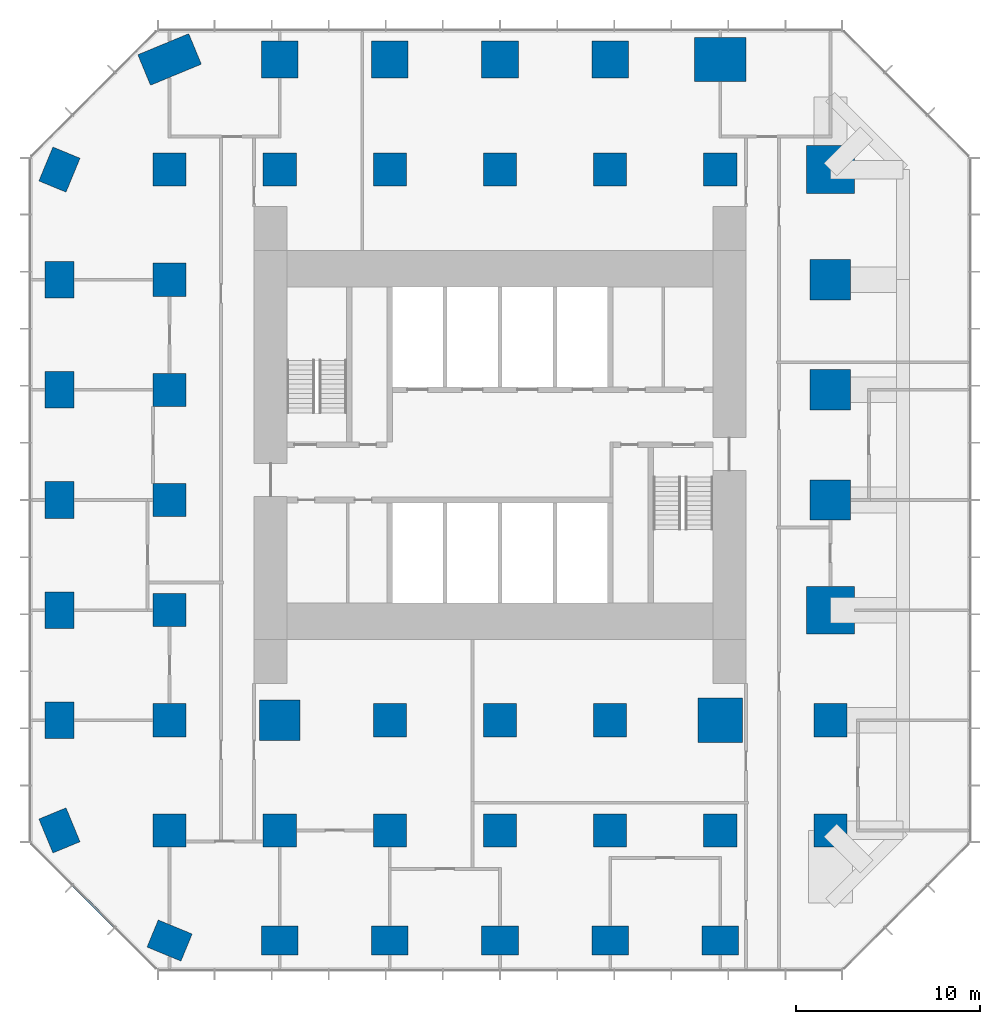
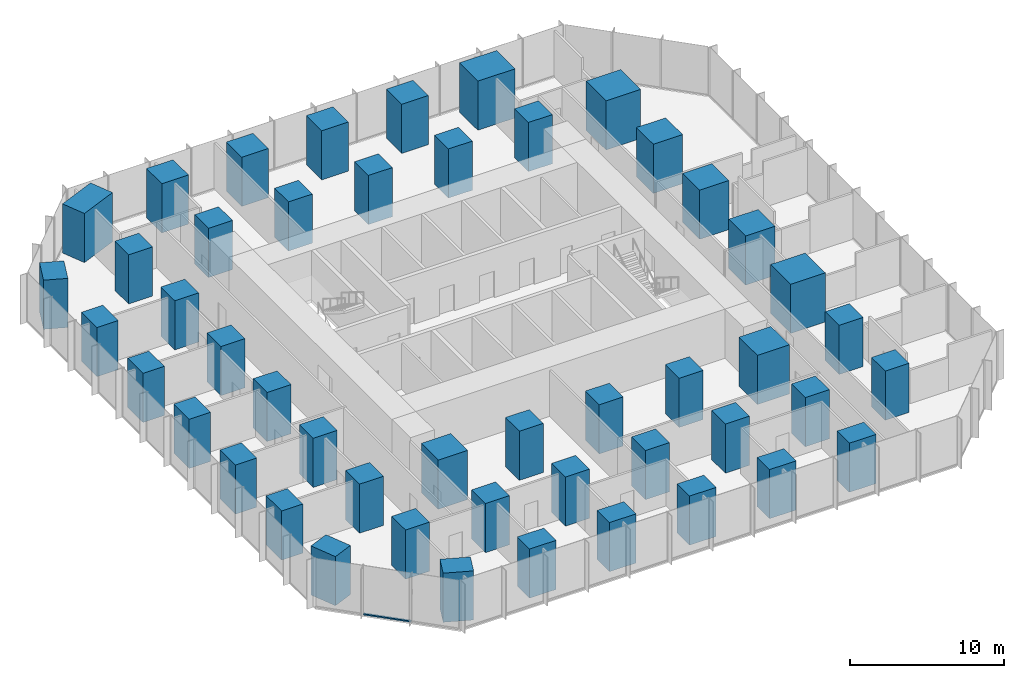
# One storey, part 1 of 12: 48 columns, 1 member, 1 element without a shape of its own.
"""IFC4 building model written with IfcOpenShell, lengths in metres."""

from ifc_helpers import new_model, si_unit, direction, frame, origin, origin_2d, place, context, subcontext, project, spatial, rectangle, extrude, material, layer, layer_set, material_profile, profile_set, type_object, element, aggregate, save


model = new_model("IFC4")

# Units and contexts
model_context = context("Model", 3, precision=1e-05, world=origin(), true_north=direction((0.0, 1.0)))
body_context = subcontext(model_context, "Body", "Model", "MODEL_VIEW")
ifc_project = project(units=[si_unit("LENGTHUNIT", "METRE"), si_unit("AREAUNIT", "SQUARE_METRE"), si_unit("VOLUMEUNIT", "CUBIC_METRE"), si_unit("PLANEANGLEUNIT", "RADIAN"), si_unit("MASSUNIT", "GRAM", prefix="KILO")], contexts=[model_context])

# Site, building, storey
site_placement = place(None, origin())
site = spatial("IfcSite", under=ifc_project, at=site_placement, CompositionType="ELEMENT")
building_placement = place(site_placement, origin())
building = spatial("IfcBuilding", under=site, at=building_placement, Name="Highveld Stack Headquarters", CompositionType="ELEMENT")
storey_placement = place(building_placement, frame((0.0, 0.0, 57.199951171875)))
storey = spatial("IfcBuildingStorey", under=building, at=storey_placement, Name="L13", CompositionType="ELEMENT", Elevation=57.199951171875)

# Columns
ifc_material_1 = material(Name="Concrete C60/75", Category="concrete")
ifc_material_profile_1 = material_profile(ifc_material_1, rectangle(XDim=1.800048828125, YDim=1.800048828125, at=origin_2d()), Name="RC 1800x1800")
ifc_profile_set_1 = profile_set([ifc_material_profile_1], Name="Concrete C60/75")
column_type_1 = type_object("IfcColumnType", Name="COLUMN RC 1800x1800 C60/75", PredefinedType="COLUMN", material=ifc_profile_set_1)
for number, where, z_axis, x_axis, name in (
    (1, (-12.0, -18.0, 0.0), (0.0, 0.0, 1.0), (1.0, 0.0, 0.0), "Column 4/B L13"),
    (2, (-12.0, -12.0, 0.0), (0.0, 0.0, 1.0), (1.0, 0.0, 0.0), "Column 4/C L13"),
    (3, (-12.0, -6.0, 0.0), (0.0, 0.0, 1.0), (1.0, 0.0, 0.0), "Column 4/D L13"),
    (4, (-12.0, 0.0, 0.0), (0.0, 0.0, 1.0), (1.0, 0.0, 0.0), "Column 4/E L13"),
    (5, (-12.0, 6.0, 0.0), (0.0, 0.0, 1.0), (1.0, 0.0, 0.0), "Column 4/F L13"),
    (6, (-12.0, 12.0, 0.0), (0.0, 0.0, 1.0), (1.0, 0.0, 0.0), "Column 4/G L13"),
    (7, (-12.0, 18.0, 0.0), (0.0, 0.0, 1.0), (1.0, 0.0, 0.0), "Column 4/H L13"),
    (8, (-6.0, -18.0, 0.0), (0.0, 0.0, 1.0), (1.0, 0.0, 0.0), "Column 5/B L13"),
    (9, (-6.0, 18.0, 0.0), (0.0, 0.0, 1.0), (1.0, 0.0, 0.0), "Column 5/H L13"),
    (10, (0.0, -18.0, 0.0), (0.0, 0.0, 1.0), (1.0, 0.0, 0.0), "Column 6/B L13"),
    (11, (0.0, -12.0, 0.0), (0.0, 0.0, 1.0), (1.0, 0.0, 0.0), "Column 6/C L13"),
    (12, (0.0, 18.0, 0.0), (0.0, 0.0, 1.0), (1.0, 0.0, 0.0), "Column 6/H L13"),
    (13, (6.0, -18.0, 0.0), (0.0, 0.0, 1.0), (1.0, 0.0, 0.0), "Column 7/B L13"),
    (14, (6.0, -12.0, 0.0), (0.0, 0.0, 1.0), (1.0, 0.0, 0.0), "Column 7/C L13"),
    (15, (6.0, 18.0, 0.0), (0.0, 0.0, 1.0), (1.0, 0.0, 0.0), "Column 7/H L13"),
    (16, (12.0, -18.0, 0.0), (0.0, 0.0, 1.0), (1.0, 0.0, 0.0), "Column 8/B L13"),
    (17, (12.0, -12.0, 0.0), (0.0, 0.0, 1.0), (1.0, 0.0, 0.0), "Column 8/C L13"),
    (18, (12.0, 18.0, 0.0), (0.0, 0.0, 1.0), (1.0, 0.0, 0.0), "Column 8/H L13"),
    (19, (18.0, -18.0, 0.0), (0.0, 0.0, 1.0), (1.0, 0.0, 0.0), "Column 9/B L13"),
    (20, (18.0, 18.0, 0.0), (0.0, 0.0, 1.0), (1.0, 0.0, 0.0), "Column 9/H L13"),
    (21, (24.0, -18.0, 0.0), (0.0, 0.0, 1.0), (1.0, 0.0, 0.0), "Column 10/B L13"),
    (22, (24.0, -12.0, 0.0), (0.0, 0.0, 1.0), (1.0, 0.0, 0.0), "Column 10/C L13"),
):
    element("IfcColumn", number, at=place(storey_placement, frame(where, z_axis=z_axis, x_axis=x_axis)), inside=storey, type_object=column_type_1, Name=name, PredefinedType="COLUMN", context=body_context, shape_type="SweptSolid", body=[
        extrude(rectangle(XDim=1.800048828125, YDim=1.800048828125, at=origin_2d()), origin(), (0.0, 0.0, 1.0), 3.900146484375),
    ])
ifc_material_2 = material(Name="Concrete C60/75", Category="concrete")
ifc_material_profile_2 = material_profile(ifc_material_2, rectangle(XDim=2.0, YDim=1.60009765625, at=origin_2d()), Name="RC 2000x1600")
ifc_profile_set_2 = profile_set([ifc_material_profile_2], Name="Concrete C60/75")
column_type_2 = type_object("IfcColumnType", Name="COLUMN RC 2000x1600 C60/75", PredefinedType="COLUMN", material=ifc_profile_set_2)
for number, where, z_axis, x_axis, name in (
    (23, (-18.0, -18.0, 0.0), (0.0, 0.0, 1.0), (-0.382683432365, 0.923879532511, 0.0), "Column 3/B L13"),
    (24, (-18.0, -12.0, 0.0), (0.0, 0.0, 1.0), (0.0, 1.0, 0.0), "Column 3/C L13"),
    (25, (-18.0, -6.0, 0.0), (0.0, 0.0, 1.0), (0.0, 1.0, 0.0), "Column 3/D L13"),
    (26, (-18.0, 0.0, 0.0), (0.0, 0.0, 1.0), (0.0, 1.0, 0.0), "Column 3/E L13"),
    (27, (-18.0, 6.0, 0.0), (0.0, 0.0, 1.0), (0.0, 1.0, 0.0), "Column 3/F L13"),
    (28, (-18.0, 12.0, 0.0), (0.0, 0.0, 1.0), (0.0, 1.0, 0.0), "Column 3/G L13"),
    (29, (-18.0, 18.0, 0.0), (0.0, 0.0, 1.0), (0.382683432365, 0.923879532511, 0.0), "Column 3/H L13"),
    (30, (-12.0, -24.0, 0.0), (0.0, 0.0, 1.0), (-0.923879532511, 0.382683432365, 0.0), "Column 4/A L13"),
    (31, (-6.0, -24.0, 0.0), (0.0, 0.0, 1.0), (1.0, 0.0, 0.0), "Column 5/A L13"),
    (32, (0.0, -24.0, 0.0), (0.0, 0.0, 1.0), (1.0, 0.0, 0.0), "Column 6/A L13"),
    (33, (6.0, -24.0, 0.0), (0.0, 0.0, 1.0), (1.0, 0.0, 0.0), "Column 7/A L13"),
    (34, (12.0, -24.0, 0.0), (0.0, 0.0, 1.0), (1.0, 0.0, 0.0), "Column 8/A L13"),
    (35, (18.0, -24.0, 0.0), (0.0, 0.0, 1.0), (1.0, 0.0, 0.0), "Column 9/A L13"),
):
    element("IfcColumn", number, at=place(storey_placement, frame(where, z_axis=z_axis, x_axis=x_axis)), inside=storey, type_object=column_type_2, Name=name, PredefinedType="COLUMN", context=body_context, shape_type="SweptSolid", body=[
        extrude(rectangle(XDim=2.0, YDim=1.60009765625, at=origin_2d()), origin(), (0.0, 0.0, 1.0), 3.900146484375),
    ])
ifc_material_3 = material(Name="Concrete C60/75", Category="concrete")
ifc_material_profile_3 = material_profile(ifc_material_3, rectangle(XDim=2.0, YDim=2.0, at=origin_2d()), Name="RC 2000x2000")
ifc_profile_set_3 = profile_set([ifc_material_profile_3], Name="Concrete C60/75")
column_type_3 = type_object("IfcColumnType", Name="COLUMN RC 2000x2000 C60/75", PredefinedType="COLUMN", material=ifc_profile_set_3)
for number, where, z_axis, x_axis, name in (
    (36, (-6.0, 24.0, 0.0), (0.0, 0.0, 1.0), (1.0, 0.0, 0.0), "Column 5/J L13"),
    (37, (0.0, 24.0, 0.0), (0.0, 0.0, 1.0), (1.0, 0.0, 0.0), "Column 6/J L13"),
    (38, (6.0, 24.0, 0.0), (0.0, 0.0, 1.0), (1.0, 0.0, 0.0), "Column 7/J L13"),
    (39, (12.0, 24.0, 0.0), (0.0, 0.0, 1.0), (1.0, 0.0, 0.0), "Column 8/J L13"),
):
    element("IfcColumn", number, at=place(storey_placement, frame(where, z_axis=z_axis, x_axis=x_axis)), inside=storey, type_object=column_type_3, Name=name, PredefinedType="COLUMN", context=body_context, shape_type="SweptSolid", body=[
        extrude(rectangle(XDim=2.0, YDim=2.0, at=origin_2d()), origin(), (0.0, 0.0, 1.0), 3.900146484375),
    ])
ifc_material_4 = material(Name="Concrete C60/75", Category="concrete")
ifc_material_profile_4 = material_profile(ifc_material_4, rectangle(XDim=2.199951171875, YDim=2.199951171875, at=origin_2d()), Name="RC 2200x2200")
ifc_profile_set_4 = profile_set([ifc_material_profile_4], Name="Concrete C60/75")
column_type_4 = type_object("IfcColumnType", Name="COLUMN RC 2200x2200 C60/75", PredefinedType="COLUMN", material=ifc_profile_set_4)
for number, where, z_axis, x_axis, name in (
    (40, (-6.0, -12.0, 0.0), (0.0, 0.0, 1.0), (1.0, 0.0, 0.0), "Column 5/C L13"),
    (41, (24.0, 0.0, 0.0), (0.0, 0.0, 1.0), (1.0, 0.0, 0.0), "Column 10/E L13"),
    (42, (24.0, 6.0, 0.0), (0.0, 0.0, 1.0), (1.0, 0.0, 0.0), "Column 10/F L13"),
    (43, (24.0, 12.0, 0.0), (0.0, 0.0, 1.0), (1.0, 0.0, 0.0), "Column 10/G L13"),
):
    element("IfcColumn", number, at=place(storey_placement, frame(where, z_axis=z_axis, x_axis=x_axis)), inside=storey, type_object=column_type_4, Name=name, PredefinedType="COLUMN", context=body_context, shape_type="SweptSolid", body=[
        extrude(rectangle(XDim=2.199951171875, YDim=2.199951171875, at=origin_2d()), origin(), (0.0, 0.0, 1.0), 3.900146484375),
    ])
ifc_material_5 = material(Name="Concrete C60/75", Category="concrete")
ifc_material_profile_5 = material_profile(ifc_material_5, rectangle(XDim=2.39990234375, YDim=2.39990234375, at=origin_2d()), Name="RC 2400x2400")
ifc_profile_set_5 = profile_set([ifc_material_profile_5], Name="Concrete C60/75")
column_type_5 = type_object("IfcColumnType", Name="COLUMN RC 2400x2400 C60/75", PredefinedType="COLUMN", material=ifc_profile_set_5)
column_1_placement = place(storey_placement, frame((18.0, -12.0, 0.0), z_axis=(0.0, 0.0, 1.0), x_axis=(1.0, 0.0, 0.0)))
element("IfcColumn", 44, at=column_1_placement, inside=storey, type_object=column_type_5, Name="Column 9/C L13", PredefinedType="COLUMN", context=body_context, shape_type="SweptSolid", body=[
    extrude(rectangle(XDim=2.39990234375, YDim=2.39990234375, at=origin_2d()), origin(), (0.0, 0.0, 1.0), 3.900146484375),
])
ifc_material_6 = material(Name="Concrete C60/75", Category="concrete")
ifc_material_profile_6 = material_profile(ifc_material_6, rectangle(XDim=2.60009765625, YDim=2.60009765625, at=origin_2d()), Name="RC 2600x2600")
ifc_profile_set_6 = profile_set([ifc_material_profile_6], Name="Concrete C60/75")
column_type_6 = type_object("IfcColumnType", Name="COLUMN RC 2600x2600 C60/75", PredefinedType="COLUMN", material=ifc_profile_set_6)
for number, where, z_axis, x_axis, name in (
    (45, (24.0, -6.0, 0.0), (0.0, 0.0, 1.0), (1.0, 0.0, 0.0), "Column 10/D L13"),
    (46, (24.0, 18.0, 0.0), (0.0, 0.0, 1.0), (1.0, 0.0, 0.0), "Column 10/H L13"),
):
    element("IfcColumn", number, at=place(storey_placement, frame(where, z_axis=z_axis, x_axis=x_axis)), inside=storey, type_object=column_type_6, Name=name, PredefinedType="COLUMN", context=body_context, shape_type="SweptSolid", body=[
        extrude(rectangle(XDim=2.60009765625, YDim=2.60009765625, at=origin_2d()), origin(), (0.0, 0.0, 1.0), 3.900146484375),
    ])
ifc_material_7 = material(Name="Concrete C60/75", Category="concrete")
ifc_material_profile_7 = material_profile(ifc_material_7, rectangle(XDim=2.800048828125, YDim=2.39990234375, at=origin_2d()), Name="RC 2800x2400")
ifc_profile_set_7 = profile_set([ifc_material_profile_7], Name="Concrete C60/75")
column_type_7 = type_object("IfcColumnType", Name="COLUMN RC 2800x2400 C60/75", PredefinedType="COLUMN", material=ifc_profile_set_7)
column_2_placement = place(storey_placement, frame((18.0, 24.0, 0.0), z_axis=(0.0, 0.0, 1.0), x_axis=(1.0, 0.0, 0.0)))
element("IfcColumn", 47, at=column_2_placement, inside=storey, type_object=column_type_7, Name="Column 9/J L13", PredefinedType="COLUMN", context=body_context, shape_type="SweptSolid", body=[
    extrude(rectangle(XDim=2.800048828125, YDim=2.39990234375, at=origin_2d()), origin(), (0.0, 0.0, 1.0), 3.900146484375),
])
ifc_material_8 = material(Name="Concrete C60/75", Category="concrete")
ifc_material_profile_8 = material_profile(ifc_material_8, rectangle(XDim=3.0, YDim=1.800048828125, at=origin_2d()), Name="RC 3000x1800")
ifc_profile_set_8 = profile_set([ifc_material_profile_8], Name="Concrete C60/75")
column_type_8 = type_object("IfcColumnType", Name="COLUMN RC 3000x1800 C60/75", PredefinedType="COLUMN", material=ifc_profile_set_8)
column_3_placement = place(storey_placement, frame((-12.0, 24.0, 0.0), z_axis=(0.0, 0.0, 1.0), x_axis=(0.923879532511, 0.382683432365, 0.0)))
element("IfcColumn", 48, at=column_3_placement, inside=storey, type_object=column_type_8, Name="Column 4/J L13", PredefinedType="COLUMN", context=body_context, shape_type="SweptSolid", body=[
    extrude(rectangle(XDim=3.0, YDim=1.800048828125, at=origin_2d()), origin(), (0.0, 0.0, 1.0), 3.900146484375),
])

# Curtain wall, member
ifc_material_9 = material(Name="Aluminium bronze anodised", Category="aluminium")
ifc_layer = layer(ifc_material_9, 0.199951171875)
ifc_layer_set = layer_set([ifc_layer], Name="Aluminium bronze anodised")
curtain_wall_type = type_object("IfcCurtainWallType", Name="CW2 TOWER CHAMFER UNITISED CURTAIN WALL", PredefinedType="NOTDEFINED", material=ifc_layer_set)
curtain_wall_placement = place(storey_placement, origin())
curtain_wall = element("IfcCurtainWall", 49, at=curtain_wall_placement, inside=storey, type_object=curtain_wall_type, Name="Curtain wall CW2 L13 SW", PredefinedType="NOTDEFINED")
ifc_material_10 = material(Name="Aluminium bronze anodised", Category="aluminium")
ifc_material_profile_9 = material_profile(ifc_material_10, rectangle(XDim=0.14990234375, YDim=0.10009765625, at=origin_2d()), Name="CW2 TRANSOM 150x100")
ifc_profile_set_9 = profile_set([ifc_material_profile_9], Name="Aluminium bronze anodised")
member_type = type_object("IfcMemberType", Name="CW2 STACK TRANSOM 150x100", PredefinedType="USERDEFINED", material=ifc_profile_set_9)
member_placement = place(storey_placement, frame((-17.2646484375, -20.998046875, 0.050048828125), z_axis=(0.707106781187, -0.707106781187, 0.0), x_axis=(0.707106781187, 0.707106781187, 0.0)))
member = element("IfcMember", 50, at=member_placement, type_object=member_type, Name="CW2 transom L13 2.1", ObjectType="TRANSOM", PredefinedType="USERDEFINED", context=body_context, shape_type="SweptSolid", body=[
    extrude(rectangle(XDim=0.14990234375, YDim=0.10009765625, at=origin_2d()), origin(), (0.0, 0.0, 1.0), 3.20556640625),
])
aggregate(curtain_wall, [member])

save(model, "model.ifc")
